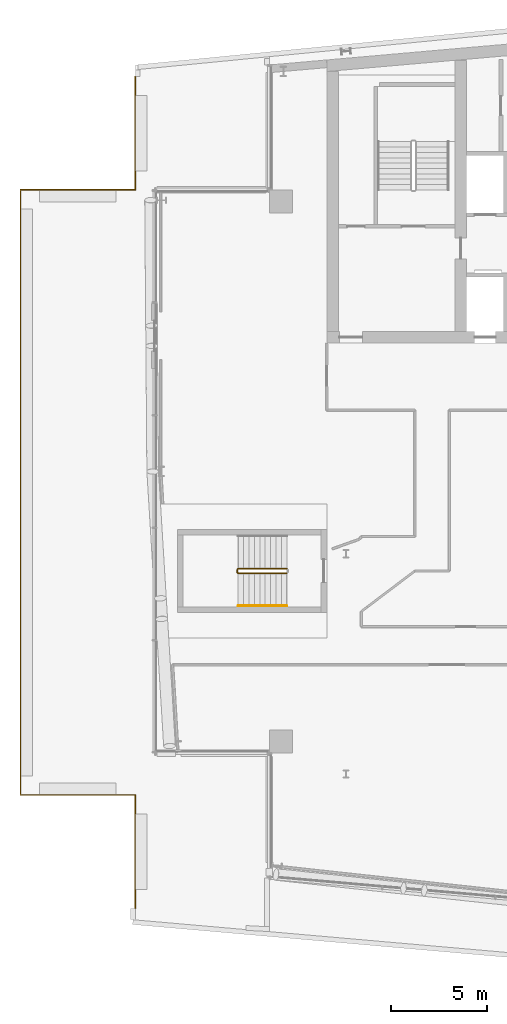
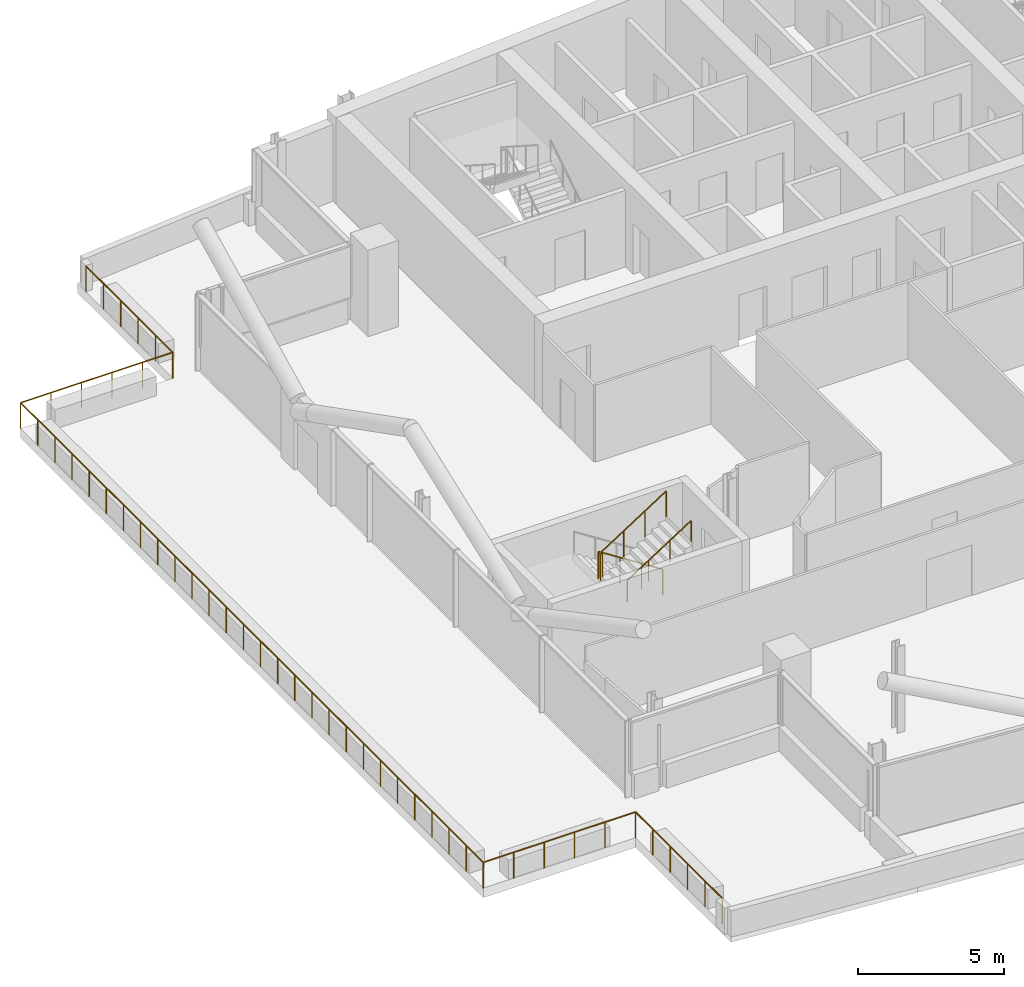
# One storey, part 24 of 27: 3 railings.
"""IFC4 building model written with IfcOpenShell, lengths in metres."""

from ifc_helpers import new_model, si_unit, direction, frame, origin, origin_2d, place, context, subcontext, project, spatial, circle, extrude, material, type_object, element, save


model = new_model("IFC4")

# Units and contexts
model_context = context("Model", 3, precision=1e-05, world=origin(), true_north=direction((0.0, 1.0)))
body_context = subcontext(model_context, "Body", "Model", "MODEL_VIEW")
ifc_project = project(units=[si_unit("LENGTHUNIT", "METRE"), si_unit("AREAUNIT", "SQUARE_METRE"), si_unit("VOLUMEUNIT", "CUBIC_METRE"), si_unit("PLANEANGLEUNIT", "RADIAN"), si_unit("MASSUNIT", "GRAM", prefix="KILO")], contexts=[model_context])

# Site, building, storey
site_placement = place(None, origin())
site = spatial("IfcSite", under=ifc_project, at=site_placement, CompositionType="ELEMENT")
building_placement = place(site_placement, origin())
building = spatial("IfcBuilding", under=site, at=building_placement, Name="Wharfspan Tower", CompositionType="ELEMENT")
storey_placement = place(building_placement, frame((0.0, 0.0, 207.100098)))
storey = spatial("IfcBuildingStorey", under=building, at=storey_placement, Name="L51", CompositionType="ELEMENT", Elevation=207.100098)

# Railings
ifc_material = material(Name="Steel S355J2", Category="steel")
railing_type_1 = type_object("IfcRailingType", Name="GUARD 1100 STEEL AND GLASS", PredefinedType="GUARDRAIL", material=ifc_material)
railing_1_placement = place(storey_placement, frame((13.0, 4.475098, 0.0)))
element("IfcRailing", 1, at=railing_1_placement, inside=storey, type_object=railing_type_1, Name="Terrace guard T3W", PredefinedType="GUARDRAIL", context=body_context, shape_type="SweptSolid", body=[
    extrude(circle(Radius=0.024902, at=origin_2d()), frame((0.0, 0.0, 1.075195), z_axis=(0.0, 1.0, 0.0), x_axis=(-1.0, 0.0, 0.0)), (0.0, 0.0, 1.0), 5.924805),
    extrude(circle(Radius=0.024902, at=origin_2d()), frame((0.0, 5.924805, 1.075195), z_axis=(-1.0, 0.0, 0.0), x_axis=(0.0, -1.0, 0.0)), (0.0, 0.0, 1.0), 6.0),
    extrude(circle(Radius=0.024902, at=origin_2d()), frame((-6.0, 5.924805, 1.075195), z_axis=(0.0, 1.0, 0.0), x_axis=(-1.0, 0.0, 0.0)), (0.0, 0.0, 1.0), 31.600098),
    extrude(circle(Radius=0.024902, at=origin_2d()), frame((-6.0, 37.524902, 1.075195), z_axis=(1.0, 0.0, 0.0), x_axis=(0.0, 1.0, 0.0)), (0.0, 0.0, 1.0), 6.0),
    extrude(circle(Radius=0.024902, at=origin_2d()), frame((0.0, 37.524902, 1.075195), z_axis=(0.0, 1.0, 0.0), x_axis=(-1.0, 0.0, 0.0)), (0.0, 0.0, 1.0), 5.925049),
    extrude(circle(Radius=0.02002, at=origin_2d()), origin(), (0.0, 0.0, 1.0), 1.050049),
    extrude(circle(Radius=0.02002, at=origin_2d()), frame((0.0, 1.185059, 0.0)), (0.0, 0.0, 1.0), 1.050049),
    extrude(circle(Radius=0.02002, at=origin_2d()), frame((0.0, 2.369873, 0.0)), (0.0, 0.0, 1.0), 1.050049),
    extrude(circle(Radius=0.02002, at=origin_2d()), frame((0.0, 3.554932, 0.0)), (0.0, 0.0, 1.0), 1.050049),
    extrude(circle(Radius=0.02002, at=origin_2d()), frame((0.0, 4.739746, 0.0)), (0.0, 0.0, 1.0), 1.050049),
    extrude(circle(Radius=0.02002, at=origin_2d()), frame((0.0, 5.924805, 0.0)), (0.0, 0.0, 1.0), 1.050049),
    extrude(circle(Radius=0.02002, at=origin_2d()), frame((-1.199951, 5.924805, 0.0)), (0.0, 0.0, 1.0), 1.050049),
    extrude(circle(Radius=0.02002, at=origin_2d()), frame((-2.399902, 5.924805, 0.0)), (0.0, 0.0, 1.0), 1.050049),
    extrude(circle(Radius=0.02002, at=origin_2d()), frame((-3.600098, 5.924805, 0.0)), (0.0, 0.0, 1.0), 1.050049),
    extrude(circle(Radius=0.02002, at=origin_2d()), frame((-4.800049, 5.924805, 0.0)), (0.0, 0.0, 1.0), 1.050049),
    extrude(circle(Radius=0.02002, at=origin_2d()), frame((-6.0, 5.924805, 0.0)), (0.0, 0.0, 1.0), 1.050049),
    extrude(circle(Radius=0.02002, at=origin_2d()), frame((-6.0, 7.095215, 0.0)), (0.0, 0.0, 1.0), 1.050049),
    extrude(circle(Radius=0.02002, at=origin_2d()), frame((-6.0, 8.265625, 0.0)), (0.0, 0.0, 1.0), 1.050049),
    extrude(circle(Radius=0.02002, at=origin_2d()), frame((-6.0, 9.436035, 0.0)), (0.0, 0.0, 1.0), 1.050049),
    extrude(circle(Radius=0.02002, at=origin_2d()), frame((-6.0, 10.606201, 0.0)), (0.0, 0.0, 1.0), 1.050049),
    extrude(circle(Radius=0.02002, at=origin_2d()), frame((-6.0, 11.776611, 0.0)), (0.0, 0.0, 1.0), 1.050049),
    extrude(circle(Radius=0.02002, at=origin_2d()), frame((-6.0, 12.947021, 0.0)), (0.0, 0.0, 1.0), 1.050049),
    extrude(circle(Radius=0.02002, at=origin_2d()), frame((-6.0, 14.117432, 0.0)), (0.0, 0.0, 1.0), 1.050049),
    extrude(circle(Radius=0.02002, at=origin_2d()), frame((-6.0, 15.287842, 0.0)), (0.0, 0.0, 1.0), 1.050049),
    extrude(circle(Radius=0.02002, at=origin_2d()), frame((-6.0, 16.458252, 0.0)), (0.0, 0.0, 1.0), 1.050049),
    extrude(circle(Radius=0.02002, at=origin_2d()), frame((-6.0, 17.628662, 0.0)), (0.0, 0.0, 1.0), 1.050049),
    extrude(circle(Radius=0.02002, at=origin_2d()), frame((-6.0, 18.798828, 0.0)), (0.0, 0.0, 1.0), 1.050049),
    extrude(circle(Radius=0.02002, at=origin_2d()), frame((-6.0, 19.969238, 0.0)), (0.0, 0.0, 1.0), 1.050049),
    extrude(circle(Radius=0.02002, at=origin_2d()), frame((-6.0, 21.139648, 0.0)), (0.0, 0.0, 1.0), 1.050049),
    extrude(circle(Radius=0.02002, at=origin_2d()), frame((-6.0, 22.310059, 0.0)), (0.0, 0.0, 1.0), 1.050049),
    extrude(circle(Radius=0.02002, at=origin_2d()), frame((-6.0, 23.480469, 0.0)), (0.0, 0.0, 1.0), 1.050049),
    extrude(circle(Radius=0.02002, at=origin_2d()), frame((-6.0, 24.650879, 0.0)), (0.0, 0.0, 1.0), 1.050049),
    extrude(circle(Radius=0.02002, at=origin_2d()), frame((-6.0, 25.821045, 0.0)), (0.0, 0.0, 1.0), 1.050049),
    extrude(circle(Radius=0.02002, at=origin_2d()), frame((-6.0, 26.991455, 0.0)), (0.0, 0.0, 1.0), 1.050049),
    extrude(circle(Radius=0.02002, at=origin_2d()), frame((-6.0, 28.161865, 0.0)), (0.0, 0.0, 1.0), 1.050049),
    extrude(circle(Radius=0.02002, at=origin_2d()), frame((-6.0, 29.332275, 0.0)), (0.0, 0.0, 1.0), 1.050049),
    extrude(circle(Radius=0.02002, at=origin_2d()), frame((-6.0, 30.502686, 0.0)), (0.0, 0.0, 1.0), 1.050049),
    extrude(circle(Radius=0.02002, at=origin_2d()), frame((-6.0, 31.673096, 0.0)), (0.0, 0.0, 1.0), 1.050049),
    extrude(circle(Radius=0.02002, at=origin_2d()), frame((-6.0, 32.843506, 0.0)), (0.0, 0.0, 1.0), 1.050049),
    extrude(circle(Radius=0.02002, at=origin_2d()), frame((-6.0, 34.013672, 0.0)), (0.0, 0.0, 1.0), 1.050049),
    extrude(circle(Radius=0.02002, at=origin_2d()), frame((-6.0, 35.184082, 0.0)), (0.0, 0.0, 1.0), 1.050049),
    extrude(circle(Radius=0.02002, at=origin_2d()), frame((-6.0, 36.354492, 0.0)), (0.0, 0.0, 1.0), 1.050049),
    extrude(circle(Radius=0.02002, at=origin_2d()), frame((-6.0, 37.524902, 0.0)), (0.0, 0.0, 1.0), 1.050049),
    extrude(circle(Radius=0.02002, at=origin_2d()), frame((-4.800049, 37.524902, 0.0)), (0.0, 0.0, 1.0), 1.050049),
    extrude(circle(Radius=0.02002, at=origin_2d()), frame((-3.600098, 37.524902, 0.0)), (0.0, 0.0, 1.0), 1.050049),
    extrude(circle(Radius=0.02002, at=origin_2d()), frame((-2.399902, 37.524902, 0.0)), (0.0, 0.0, 1.0), 1.050049),
    extrude(circle(Radius=0.02002, at=origin_2d()), frame((-1.199951, 37.524902, 0.0)), (0.0, 0.0, 1.0), 1.050049),
    extrude(circle(Radius=0.02002, at=origin_2d()), frame((0.0, 37.524902, 0.0)), (0.0, 0.0, 1.0), 1.050049),
    extrude(circle(Radius=0.02002, at=origin_2d()), frame((0.0, 38.709961, 0.0)), (0.0, 0.0, 1.0), 1.050049),
    extrude(circle(Radius=0.02002, at=origin_2d()), frame((0.0, 39.89502, 0.0)), (0.0, 0.0, 1.0), 1.050049),
    extrude(circle(Radius=0.02002, at=origin_2d()), frame((0.0, 41.079834, 0.0)), (0.0, 0.0, 1.0), 1.050049),
    extrude(circle(Radius=0.02002, at=origin_2d()), frame((0.0, 42.264893, 0.0)), (0.0, 0.0, 1.0), 1.050049),
    extrude(circle(Radius=0.02002, at=origin_2d()), frame((0.0, 43.449951, 0.0)), (0.0, 0.0, 1.0), 1.050049),
])
railing_type_2 = type_object("IfcRailingType", Name="Stair guard 1100", PredefinedType="GUARDRAIL", material=ifc_material)
railing_2_placement = place(storey_placement, frame((20.899902, 22.225098, 0.179932)))
element("IfcRailing", 2, at=railing_2_placement, inside=storey, type_object=railing_type_2, Name="L51 ST3 stair guard 1", PredefinedType="GUARDRAIL", context=body_context, shape_type="SweptSolid", body=[
    extrude(circle(Radius=0.023926, at=origin_2d()), frame((0.0, 0.0, 1.076172), z_axis=(-0.8412, 0.0, 0.540725), x_axis=(0.0, -1.0, 0.0)), (0.0, 0.0, 1.0), 2.99585),
    extrude(circle(Radius=0.023926, at=origin_2d()), frame((-2.52002, 0.0, 2.695801), z_axis=(-0.705376, -0.708834, 0.0), x_axis=(0.708834, -0.705376, 0.0)), (0.0, 0.0, 1.0), 0.070557),
    extrude(circle(Radius=0.023926, at=origin_2d()), frame((-2.569824, -0.050049, 2.695801), z_axis=(0.0, -1.0, 0.0), x_axis=(1.0, 0.0, 0.0)), (0.0, 0.0, 1.0), 0.150146),
    extrude(circle(Radius=0.023926, at=origin_2d()), frame((-2.569824, -0.200195, 2.695801), z_axis=(0.25745, -0.25745, 0.931364), x_axis=(0.707107, 0.707107, 0.0)), (0.0, 0.0, 1.0), 0.193359),
    extrude(circle(Radius=0.023926, at=origin_2d()), frame((-2.52002, -0.25, 2.875977), z_axis=(0.8412, 0.0, 0.540725), x_axis=(0.0, 1.0, 0.0)), (0.0, 0.0, 1.0), 2.99585),
    extrude(circle(Radius=0.020996, at=origin_2d()), origin(), (0.0, 0.0, 1.0), 1.052002),
    extrude(circle(Radius=0.020996, at=origin_2d()), frame((-0.840088, 0.0, 0.540039)), (0.0, 0.0, 1.0), 1.052002),
    extrude(circle(Radius=0.020996, at=origin_2d()), frame((-1.679932, 0.0, 1.079834)), (0.0, 0.0, 1.0), 1.052002),
    extrude(circle(Radius=0.020996, at=origin_2d()), frame((-2.52002, 0.0, 1.619873)), (0.0, 0.0, 1.0), 1.052002),
    extrude(circle(Radius=0.020996, at=origin_2d()), frame((-2.569824, -0.050049, 1.619873)), (0.0, 0.0, 1.0), 1.052002),
    extrude(circle(Radius=0.020996, at=origin_2d()), frame((-2.569824, -0.200195, 1.619873)), (0.0, 0.0, 1.0), 1.052002),
    extrude(circle(Radius=0.020996, at=origin_2d()), frame((-2.52002, -0.25, 1.800049)), (0.0, 0.0, 1.0), 1.052002),
    extrude(circle(Radius=0.020996, at=origin_2d()), frame((-1.679932, -0.25, 2.340088)), (0.0, 0.0, 1.0), 1.052002),
    extrude(circle(Radius=0.020996, at=origin_2d()), frame((-0.840088, -0.25, 2.879883)), (0.0, 0.0, 1.0), 1.052002),
    extrude(circle(Radius=0.020996, at=origin_2d()), frame((0.0, -0.25, 3.419922)), (0.0, 0.0, 1.0), 1.052002),
])
railing_type_3 = type_object("IfcRailingType", Name="Stair handrail 900", PredefinedType="HANDRAIL", material=ifc_material)
railing_3_placement = place(storey_placement, frame((18.379883, 20.274902, 1.97998)))
element("IfcRailing", 3, at=railing_3_placement, inside=storey, type_object=railing_type_3, Name="L51 ST3 stair handrail 2", PredefinedType="HANDRAIL", context=body_context, shape_type="SweptSolid", body=[
    extrude(circle(Radius=0.023926, at=origin_2d()), frame((0.0, 0.0, 0.875977), z_axis=(0.8412, 0.0, 0.540725), x_axis=(0.0, 1.0, 0.0)), (0.0, 0.0, 1.0), 2.99585),
    extrude(circle(Radius=0.020996, at=origin_2d()), origin(), (0.0, 0.0, 1.0), 0.851807),
    extrude(circle(Radius=0.020996, at=origin_2d()), frame((0.840088, 0.0, 0.540039)), (0.0, 0.0, 1.0), 0.851807),
    extrude(circle(Radius=0.020996, at=origin_2d()), frame((1.679932, 0.0, 1.079834)), (0.0, 0.0, 1.0), 0.851807),
    extrude(circle(Radius=0.020996, at=origin_2d()), frame((2.52002, 0.0, 1.619873)), (0.0, 0.0, 1.0), 0.851807),
])

save(model, "model.ifc")
